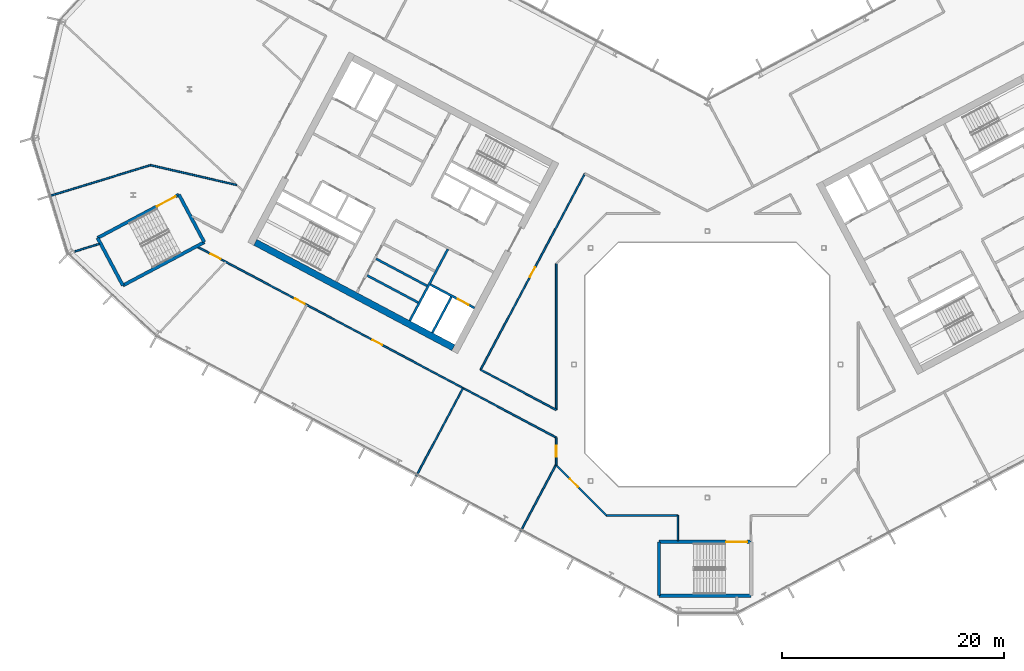
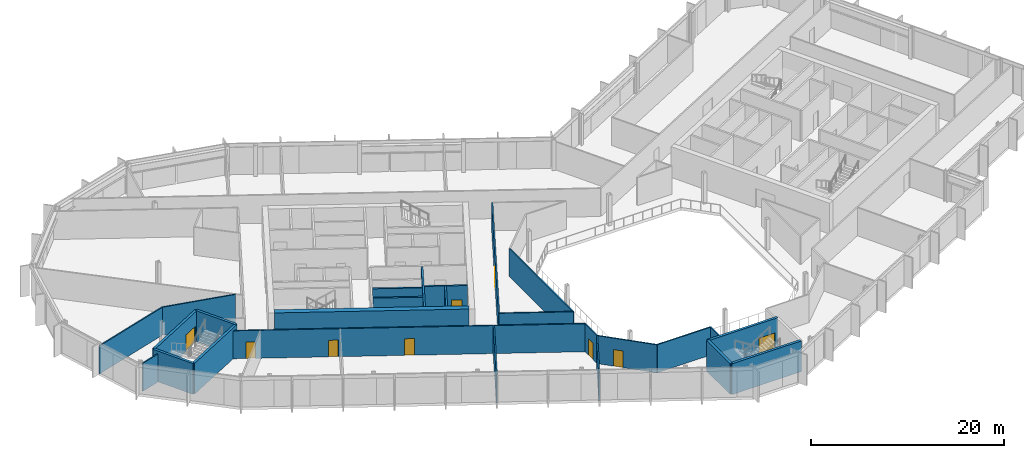
# One storey, part 13 of 27: 26 walls, 9 doors, 9 openings.
"""IFC4 building model written with IfcOpenShell, lengths in metres."""

from ifc_helpers import new_model, si_unit, direction, frame, frame_2d, origin, place, context, subcontext, project, spatial, rectangle, extrude, material, layer, layer_set, type_object, element, fill, save


model = new_model("IFC4")

# Units and contexts
model_context = context("Model", 3, precision=1e-05, world=origin(), true_north=direction((0.0, 1.0)))
body_context = subcontext(model_context, "Body", "Model", "MODEL_VIEW")
ifc_project = project(units=[si_unit("LENGTHUNIT", "METRE"), si_unit("AREAUNIT", "SQUARE_METRE"), si_unit("VOLUMEUNIT", "CUBIC_METRE"), si_unit("PLANEANGLEUNIT", "RADIAN"), si_unit("MASSUNIT", "GRAM", prefix="KILO")], contexts=[model_context])

# Site, building, storey
site_placement = place(None, origin())
site = spatial("IfcSite", under=ifc_project, at=site_placement, CompositionType="ELEMENT")
building_placement = place(site_placement, origin())
building = spatial("IfcBuilding", under=site, at=building_placement, Name="Cormorant Relay Tower", CompositionType="ELEMENT")
storey_placement = place(building_placement, frame((0.0, 0.0, 224.699951171875)))
storey = spatial("IfcBuildingStorey", under=building, at=storey_placement, Name="L49", CompositionType="ELEMENT", Elevation=224.699951171875)

# Walls
ifc_material_1 = material(Name="Concrete 40 MPa", Category="concrete")
ifc_layer_1 = layer(ifc_material_1, 0.199951171875)
ifc_layer_set_1 = layer_set([ifc_layer_1], Name="Core internal wall 200")
wall_type_1 = type_object("IfcWallType", Name="Core internal wall 200", PredefinedType="SOLIDWALL", material=ifc_layer_set_1)
for number, where, z_axis, x_axis, name in (
    (1, (-25.232421875, 7.073974609375, 0.0), (0.0, 0.0, 1.0), (-0.882953967957, 0.469459572775, 0.0), "L49 core A shaft and room wall"),
    (2, (-26.030517578125, 5.572998046875, 0.0), (0.0, 0.0, 1.0), (-0.882953967957, 0.469459572775, 0.0), "L49 core A shaft and room wall"),
):
    element("IfcWall", number, at=place(storey_placement, frame(where, z_axis=z_axis, x_axis=x_axis)), inside=storey, type_object=wall_type_1, Name=name, PredefinedType="SOLIDWALL", context=body_context, shape_type="SweptSolid", body=[
        extrude(rectangle(XDim=5.199951171875, YDim=0.199951171875, at=frame_2d((2.60009765625, 0.0))), origin(), (0.0, 0.0, 1.0), 3.900146484375),
    ])
ifc_material_2 = material(Name="Concrete 50 MPa", Category="concrete")
ifc_layer_2 = layer(ifc_material_2, 0.199951171875)
ifc_layer_set_2 = layer_set([ifc_layer_2], Name="Core shaft wall 200")
wall_type_2 = type_object("IfcWallType", Name="Core shaft wall 200", PredefinedType="SHEAR", material=ifc_layer_set_2)
wall_1_placement = place(storey_placement, frame((-23.04296875, 6.07958984375, 0.0), z_axis=(0.0, 0.0, 1.0), x_axis=(-0.469494272526, -0.882935517501, 0.0)))
element("IfcWall", 3, at=wall_1_placement, inside=storey, type_object=wall_type_2, Name="L49 core A shaft wall", PredefinedType="SHEAR", context=body_context, shape_type="SweptSolid", body=[
    extrude(rectangle(XDim=3.64990234375, YDim=0.199951171875, at=frame_2d((1.824951171875, 0.0))), origin(), (0.0, 0.0, 1.0), 3.900146484375),
])
wall_2_placement = place(storey_placement, frame((-23.360107421875, 10.38232421875, 0.0), z_axis=(0.0, 0.0, 1.0), x_axis=(-0.469480409012, -0.88294288918, 0.0)))
element("IfcWall", 4, at=wall_2_placement, inside=storey, type_object=wall_type_2, Name="L49 core A shaft wall", PredefinedType="SHEAR", context=body_context, shape_type="SweptSolid", body=[
    extrude(rectangle(XDim=7.300048828125, YDim=0.199951171875, at=frame_2d((3.64990234375, 0.0))), origin(), (0.0, 0.0, 1.0), 3.900146484375),
])

# Wall, opening, door
wall_3_placement = place(storey_placement, frame((-20.96533203125, 5.088134765625, 0.0), z_axis=(0.0, 0.0, 1.0), x_axis=(-0.882925986334, 0.469512196493, 0.0)))
wall_3 = element("IfcWall", 5, at=wall_3_placement, inside=storey, type_object=wall_type_2, Name="L49 core A shaft wall", PredefinedType="SHEAR", context=body_context, shape_type="SweptSolid", body=[
    extrude(rectangle(XDim=4.5, YDim=0.199951171875, at=frame_2d((2.25, 0.0))), origin(), (0.0, 0.0, 1.0), 3.900146484375),
])
opening_1_placement = place(wall_3_placement, frame((0.60009765625, 0.0, 0.0)))
opening_1 = element("IfcOpeningElement", 6, at=opening_1_placement, cuts=wall_3, Name="Opening LD1-063", PredefinedType="OPENING", context=body_context, shape_type="SweptSolid", body=[
    extrude(rectangle(XDim=1.10009765625, YDim=2.10009765625, at=frame_2d((0.550048828125, 1.050048828125))), frame((0.0, 0.10986328125, 0.0), z_axis=(0.0, -1.0, 0.0), x_axis=(1.0, 0.0, 0.0)), (0.0, 0.0, 1.0), 0.219970703125),
])
ifc_material_3 = material(Name="Stainless steel 316", Category="steel")
door_type_1 = type_object("IfcDoorType", Name="Lift landing door 1100x2100", OperationType="DOUBLE_DOOR_SLIDING", PredefinedType="DOOR", material=ifc_material_3)
door_1_placement = place(opening_1_placement, origin())
door_1 = element("IfcDoor", 7, at=door_1_placement, inside=storey, type_object=door_type_1, Name="FF1 landing door", OperationType="DOUBLE_DOOR_SLIDING", OverallHeight=2.10009765625, OverallWidth=1.10009765625, PredefinedType="DOOR", context=body_context, shape_type="SweptSolid", body=[
    extrude(rectangle(XDim=1.10009765625, YDim=2.10009765625, at=frame_2d((0.550048828125, 1.050048828125))), frame((0.0, 0.02490234375, 0.0), z_axis=(0.0, -1.0, 0.0), x_axis=(1.0, 0.0, 0.0)), (0.0, 0.0, 1.0), 0.050048828125),
])
fill(opening_1, door_1)

# Wall
ifc_material_4 = material(Name="Concrete 50 MPa", Category="concrete")
ifc_layer_3 = layer(ifc_material_4, 0.60009765625)
ifc_layer_set_3 = layer_set([ifc_layer_3], Name="Core wall 600")
wall_type_3 = type_object("IfcWallType", Name="Core wall 600", PredefinedType="SHEAR", material=ifc_layer_set_3)
wall_4_placement = place(storey_placement, frame((-22.86669921875, 1.51220703125, 0.0), z_axis=(0.0, 0.0, 1.0), x_axis=(-0.88294509198, 0.469476266226, 0.0)))
element("IfcWall", 8, at=wall_4_placement, inside=storey, type_object=wall_type_3, Name="L49 core A wall", PredefinedType="SHEAR", context=body_context, shape_type="SweptSolid", body=[
    extrude(rectangle(XDim=20.199951171875, YDim=0.60009765625, at=frame_2d((10.10009765625, 0.0))), origin(), (0.0, 0.0, 1.0), 3.900146484375),
])

# Wall, opening, door
ifc_material_5 = material(Name="Gypsum board fire partition")
ifc_layer_4 = layer(ifc_material_5, 0.14990234375)
ifc_layer_set_4 = layer_set([ifc_layer_4], Name="Corridor partition 150 EI 60")
wall_type_4 = type_object("IfcWallType", Name="Corridor partition 150 EI 60", PredefinedType="PARTITIONING", material=ifc_layer_set_4)
wall_5_placement = place(storey_placement, frame((-13.60009765625, -9.076904296875, 0.0), z_axis=(0.0, 0.0, 1.0), x_axis=(0.0, 1.0, 0.0)))
wall_5 = element("IfcWall", 9, at=wall_5_placement, inside=storey, type_object=wall_type_4, Name="wall/L49/part/015", PredefinedType="PARTITIONING", context=body_context, shape_type="SweptSolid", body=[
    extrude(rectangle(XDim=2.490966796875, YDim=0.14990234375, at=frame_2d((1.24560546875, 0.0))), origin(), (0.0, 0.0, 1.0), 3.5400390625),
])
opening_2_placement = place(wall_5_placement, frame((0.75, 0.0, 0.0)))
opening_2 = element("IfcOpeningElement", 10, at=opening_2_placement, cuts=wall_5, Name="Opening DS-158", PredefinedType="OPENING", context=body_context, shape_type="SweptSolid", body=[
    extrude(rectangle(XDim=1.0, YDim=2.10009765625, at=frame_2d((0.5, 1.050048828125))), frame((0.0, 0.0849609375, 0.0), z_axis=(0.0, -1.0, 0.0), x_axis=(1.0, 0.0, 0.0)), (0.0, 0.0, 1.0), 0.169921875),
])
ifc_material_6 = material(Name="Timber door leaf", Category="wood")
door_type_2 = type_object("IfcDoorType", Name="Suite door 1000x2100", OperationType="SINGLE_SWING_LEFT", PredefinedType="DOOR", material=ifc_material_6)
door_2_placement = place(opening_2_placement, origin())
door_2 = element("IfcDoor", 11, at=door_2_placement, inside=storey, type_object=door_type_2, Name="door/L49/010", OperationType="SINGLE_SWING_RIGHT", OverallHeight=2.10009765625, OverallWidth=1.0, PredefinedType="DOOR", context=body_context, shape_type="SweptSolid", body=[
    extrude(rectangle(XDim=1.0, YDim=2.10009765625, at=frame_2d((0.5, 1.050048828125))), frame((0.0, 0.02490234375, 0.0), z_axis=(0.0, -1.0, 0.0), x_axis=(1.0, 0.0, 0.0)), (0.0, 0.0, 1.0), 0.050048828125),
])
fill(opening_2, door_2)

# Wall, openings, doors
wall_6_placement = place(storey_placement, frame((-13.60009765625, -6.5859375, 0.0), z_axis=(0.0, 0.0, 1.0), x_axis=(-0.882948083203, 0.469470640582, 0.0)))
wall_6 = element("IfcWall", 12, at=wall_6_placement, inside=storey, type_object=wall_type_4, Name="wall/L49/part/016", PredefinedType="PARTITIONING", context=body_context, shape_type="SweptSolid", body=[
    extrude(rectangle(XDim=36.5556640625, YDim=0.14990234375, at=frame_2d((18.27783203125, 0.0))), origin(), (0.0, 0.0, 1.0), 3.5400390625),
])
opening_3_placement = place(wall_6_placement, frame((34.25, 0.0, 0.0)))
opening_3 = element("IfcOpeningElement", 13, at=opening_3_placement, cuts=wall_6, Name="Opening DS-155", PredefinedType="OPENING", context=body_context, shape_type="SweptSolid", body=[
    extrude(rectangle(XDim=1.0, YDim=2.10009765625, at=frame_2d((0.5, 1.050048828125))), frame((0.0, 0.0849609375, 0.0), z_axis=(0.0, -1.0, 0.0), x_axis=(1.0, 0.0, 0.0)), (0.0, 0.0, 1.0), 0.169921875),
])
opening_4_placement = place(wall_6_placement, frame((25.64990234375, 0.0, 0.0)))
opening_4 = element("IfcOpeningElement", 14, at=opening_4_placement, cuts=wall_6, Name="Opening DS-156", PredefinedType="OPENING", context=body_context, shape_type="SweptSolid", body=[
    extrude(rectangle(XDim=1.0, YDim=2.10009765625, at=frame_2d((0.5, 1.050048828125))), frame((0.0, 0.0849609375, 0.0), z_axis=(0.0, -1.0, 0.0), x_axis=(1.0, 0.0, 0.0)), (0.0, 0.0, 1.0), 0.169921875),
])
opening_5_placement = place(wall_6_placement, frame((17.75, 0.0, 0.0)))
opening_5 = element("IfcOpeningElement", 15, at=opening_5_placement, cuts=wall_6, Name="Opening DS-157", PredefinedType="OPENING", context=body_context, shape_type="SweptSolid", body=[
    extrude(rectangle(XDim=1.0, YDim=2.10009765625, at=frame_2d((0.5, 1.050048828125))), frame((0.0, 0.0849609375, 0.0), z_axis=(0.0, -1.0, 0.0), x_axis=(1.0, 0.0, 0.0)), (0.0, 0.0, 1.0), 0.169921875),
])
door_3_placement = place(opening_3_placement, origin())
door_3 = element("IfcDoor", 16, at=door_3_placement, inside=storey, type_object=door_type_2, Name="door/L49/007", OperationType="SINGLE_SWING_LEFT", OverallHeight=2.10009765625, OverallWidth=1.0, PredefinedType="DOOR", context=body_context, shape_type="SweptSolid", body=[
    extrude(rectangle(XDim=1.0, YDim=2.10009765625, at=frame_2d((0.5, 1.050048828125))), frame((0.0, 0.02490234375, 0.0), z_axis=(0.0, -1.0, 0.0), x_axis=(1.0, 0.0, 0.0)), (0.0, 0.0, 1.0), 0.050048828125),
])
fill(opening_3, door_3)
door_4_placement = place(opening_4_placement, origin())
door_4 = element("IfcDoor", 17, at=door_4_placement, inside=storey, type_object=door_type_2, Name="door/L49/008", OperationType="SINGLE_SWING_LEFT", OverallHeight=2.10009765625, OverallWidth=1.0, PredefinedType="DOOR", context=body_context, shape_type="SweptSolid", body=[
    extrude(rectangle(XDim=1.0, YDim=2.10009765625, at=frame_2d((0.5, 1.050048828125))), frame((0.0, 0.02490234375, 0.0), z_axis=(0.0, -1.0, 0.0), x_axis=(1.0, 0.0, 0.0)), (0.0, 0.0, 1.0), 0.050048828125),
])
fill(opening_4, door_4)
door_5_placement = place(opening_5_placement, origin())
door_5 = element("IfcDoor", 18, at=door_5_placement, inside=storey, type_object=door_type_2, Name="door/L49/009", OperationType="SINGLE_SWING_LEFT", OverallHeight=2.10009765625, OverallWidth=1.0, PredefinedType="DOOR", context=body_context, shape_type="SweptSolid", body=[
    extrude(rectangle(XDim=1.0, YDim=2.10009765625, at=frame_2d((0.5, 1.050048828125))), frame((0.0, 0.02490234375, 0.0), z_axis=(0.0, -1.0, 0.0), x_axis=(1.0, 0.0, 0.0)), (0.0, 0.0, 1.0), 0.050048828125),
])
fill(opening_5, door_5)

# Wall, opening, door
wall_7_placement = place(storey_placement, frame((-13.60009765625, -9.076904296875, 0.0), z_axis=(0.0, 0.0, 1.0), x_axis=(0.707106781187, -0.707106781187, 0.0)))
wall_7 = element("IfcWall", 19, at=wall_7_placement, inside=storey, type_object=wall_type_4, Name="wall/L49/part/023", PredefinedType="PARTITIONING", context=body_context, shape_type="SweptSolid", body=[
    extrude(rectangle(XDim=6.396728515625, YDim=0.14990234375, at=frame_2d((3.1982421875, 0.0))), origin(), (0.0, 0.0, 1.0), 3.5400390625),
])
opening_6_placement = place(wall_7_placement, frame((1.75, 0.0, 0.0)))
opening_6 = element("IfcOpeningElement", 20, at=opening_6_placement, cuts=wall_7, Name="Opening DS-159", PredefinedType="OPENING", context=body_context, shape_type="SweptSolid", body=[
    extrude(rectangle(XDim=1.0, YDim=2.10009765625, at=frame_2d((0.5, 1.050048828125))), frame((0.0, 0.0849609375, 0.0), z_axis=(0.0, -1.0, 0.0), x_axis=(1.0, 0.0, 0.0)), (0.0, 0.0, 1.0), 0.169921875),
])
door_6_placement = place(opening_6_placement, frame((1.0, 0.0, 0.0), z_axis=(0.0, 0.0, 1.0), x_axis=(-1.0, 0.0, 0.0)))
door_6 = element("IfcDoor", 21, at=door_6_placement, inside=storey, type_object=door_type_2, Name="door/L49/011", OperationType="SINGLE_SWING_RIGHT", OverallHeight=2.10009765625, OverallWidth=1.0, PredefinedType="DOOR", context=body_context, shape_type="SweptSolid", body=[
    extrude(rectangle(XDim=1.0, YDim=2.10009765625, at=frame_2d((0.5, 1.050048828125))), frame((0.0, 0.02490234375, 0.0), z_axis=(0.0, -1.0, 0.0), x_axis=(1.0, 0.0, 0.0)), (0.0, 0.0, 1.0), 0.050048828125),
])
fill(opening_6, door_6)

# Walls
wall_8_placement = place(storey_placement, frame((-2.64892578125, -15.875, 0.0), z_axis=(0.0, 0.0, 1.0), x_axis=(0.0, 1.0, 0.0)))
element("IfcWall", 22, at=wall_8_placement, inside=storey, type_object=wall_type_4, Name="wall/L49/part/025", PredefinedType="PARTITIONING", context=body_context, shape_type="SweptSolid", body=[
    extrude(rectangle(XDim=2.27490234375, YDim=0.14990234375, at=frame_2d((1.137451171875, 0.0))), origin(), (0.0, 0.0, 1.0), 3.5400390625),
])
wall_9_placement = place(storey_placement, frame((-2.64892578125, -13.60009765625, 0.0), z_axis=(0.0, 0.0, 1.0), x_axis=(-1.0, 0.0, 0.0)))
element("IfcWall", 23, at=wall_9_placement, inside=storey, type_object=wall_type_4, Name="wall/L49/part/026", PredefinedType="PARTITIONING", context=body_context, shape_type="SweptSolid", body=[
    extrude(rectangle(XDim=6.427978515625, YDim=0.14990234375, at=frame_2d((3.2138671875, 0.0))), origin(), (0.0, 0.0, 1.0), 3.5400390625),
])

# Wall, opening, door
wall_10_placement = place(storey_placement, frame((-20.410888671875, -0.472900390625, 0.0), z_axis=(0.0, 0.0, 1.0), x_axis=(0.469451816494, 0.882958091865, 0.0)))
wall_10 = element("IfcWall", 24, at=wall_10_placement, inside=storey, type_object=wall_type_4, Name="wall/L49/part/042", PredefinedType="PARTITIONING", context=body_context, shape_type="SweptSolid", body=[
    extrude(rectangle(XDim=19.999755859375, YDim=0.14990234375, at=frame_2d((10.0, 0.0))), origin(), (0.0, 0.0, 1.0), 3.5400390625),
])
opening_7_placement = place(wall_10_placement, frame((9.449951171875, 0.0, 0.0)))
opening_7 = element("IfcOpeningElement", 25, at=opening_7_placement, cuts=wall_10, Name="Opening DS-132", PredefinedType="OPENING", context=body_context, shape_type="SweptSolid", body=[
    extrude(rectangle(XDim=1.0, YDim=2.10009765625, at=frame_2d((0.5, 1.050048828125))), frame((0.0, 0.0849609375, 0.0), z_axis=(0.0, -1.0, 0.0), x_axis=(1.0, 0.0, 0.0)), (0.0, 0.0, 1.0), 0.169921875),
])
door_7_placement = place(opening_7_placement, frame((1.0, 0.0, 0.0), z_axis=(0.0, 0.0, 1.0), x_axis=(-1.0, 0.0, 0.0)))
door_7 = element("IfcDoor", 26, at=door_7_placement, inside=storey, type_object=door_type_2, Name="door/L49/012", OperationType="SINGLE_SWING_LEFT", OverallHeight=2.10009765625, OverallWidth=1.0, PredefinedType="DOOR", context=body_context, shape_type="SweptSolid", body=[
    extrude(rectangle(XDim=1.0, YDim=2.10009765625, at=frame_2d((0.5, 1.050048828125))), frame((0.0, 0.02490234375, 0.0), z_axis=(0.0, -1.0, 0.0), x_axis=(1.0, 0.0, 0.0)), (0.0, 0.0, 1.0), 0.050048828125),
])
fill(opening_7, door_7)

# Walls
wall_11_placement = place(storey_placement, frame((-13.60009765625, 9.076904296875, 0.0), z_axis=(0.0, 0.0, 1.0), x_axis=(0.0, -1.0, 0.0)))
element("IfcWall", 27, at=wall_11_placement, inside=storey, type_object=wall_type_4, Name="wall/L49/part/046", PredefinedType="PARTITIONING", context=body_context, shape_type="SweptSolid", body=[
    extrude(rectangle(XDim=13.1708984375, YDim=0.14990234375, at=frame_2d((6.58544921875, 0.0))), origin(), (0.0, 0.0, 1.0), 3.5400390625),
])
wall_12_placement = place(storey_placement, frame((-13.60009765625, -4.093994140625, 0.0), z_axis=(0.0, 0.0, 1.0), x_axis=(-0.882961998231, 0.469444469218, 0.0)))
element("IfcWall", 28, at=wall_12_placement, inside=storey, type_object=wall_type_4, Name="wall/L49/part/047", PredefinedType="PARTITIONING", context=body_context, shape_type="SweptSolid", body=[
    extrude(rectangle(XDim=7.713623046875, YDim=0.14990234375, at=frame_2d((3.85693359375, 0.0))), origin(), (0.0, 0.0, 1.0), 3.5400390625),
])
ifc_material_7 = material(Name="Concrete 50 MPa", Category="concrete")
ifc_layer_5 = layer(ifc_material_7, 0.300048828125)
ifc_layer_set_5 = layer_set([ifc_layer_5], Name="Remote stair wall 300")
wall_type_5 = type_object("IfcWallType", Name="Remote stair wall 300", PredefinedType="SHEAR", material=ifc_layer_set_5)
wall_13_placement = place(storey_placement, frame((3.949951171875, -20.824951171875, 0.0), z_axis=(0.0, 0.0, 1.0), x_axis=(-1.0, 0.0, 0.0)))
element("IfcWall", 29, at=wall_13_placement, inside=storey, type_object=wall_type_5, Name="L49 exit stair RK1 wall", PredefinedType="SHEAR", context=body_context, shape_type="SweptSolid", body=[
    extrude(rectangle(XDim=8.300048828125, YDim=0.300048828125, at=frame_2d((4.14990234375, 0.0))), origin(), (0.0, 0.0, 1.0), 3.900146484375),
])
wall_14_placement = place(storey_placement, frame((-4.35009765625, -20.824951171875, 0.0), z_axis=(0.0, 0.0, 1.0), x_axis=(0.0, 1.0, 0.0)))
element("IfcWall", 30, at=wall_14_placement, inside=storey, type_object=wall_type_5, Name="L49 exit stair RK1 wall", PredefinedType="SHEAR", context=body_context, shape_type="SweptSolid", body=[
    extrude(rectangle(XDim=4.849853515625, YDim=0.300048828125, at=frame_2d((2.4248046875, 0.0))), origin(), (0.0, 0.0, 1.0), 3.900146484375),
])

# Wall, opening, door
wall_15_placement = place(storey_placement, frame((-4.35009765625, -15.97509765625, 0.0), z_axis=(0.0, 0.0, 1.0), x_axis=(1.0, 0.0, 0.0)))
wall_15 = element("IfcWall", 31, at=wall_15_placement, inside=storey, type_object=wall_type_5, Name="L49 exit stair RK1 wall", PredefinedType="SHEAR", context=body_context, shape_type="SweptSolid", body=[
    extrude(rectangle(XDim=8.300048828125, YDim=0.300048828125, at=frame_2d((4.14990234375, 0.0))), origin(), (0.0, 0.0, 1.0), 3.900146484375),
])
opening_8_placement = place(wall_15_placement, frame((6.050048828125, 0.0, 0.0)))
opening_8 = element("IfcOpeningElement", 32, at=opening_8_placement, cuts=wall_15, Name="Opening CDE-014", PredefinedType="OPENING", context=body_context, shape_type="SweptSolid", body=[
    extrude(rectangle(XDim=1.89990234375, YDim=2.10009765625, at=frame_2d((0.949951171875, 1.050048828125))), frame((0.0, 0.159912109375, 0.0), z_axis=(0.0, -1.0, 0.0), x_axis=(1.0, 0.0, 0.0)), (0.0, 0.0, 1.0), 0.320068359375),
])
ifc_material_8 = material(Name="Steel fire door", Category="steel")
door_type_3 = type_object("IfcDoorType", Name="Remote stair door 1900x2100", OperationType="DOUBLE_DOOR_SINGLE_SWING", PredefinedType="DOOR", material=ifc_material_8)
door_8_placement = place(opening_8_placement, frame((1.89990234375, 0.0, 0.0), z_axis=(0.0, 0.0, 1.0), x_axis=(-1.0, 0.0, 0.0)))
door_8 = element("IfcDoor", 33, at=door_8_placement, inside=storey, type_object=door_type_3, Name="Exit stair RK1 door", OperationType="DOUBLE_DOOR_SINGLE_SWING", OverallHeight=2.10009765625, OverallWidth=1.89990234375, PredefinedType="DOOR", context=body_context, shape_type="SweptSolid", body=[
    extrude(rectangle(XDim=1.89990234375, YDim=2.10009765625, at=frame_2d((0.949951171875, 1.050048828125))), frame((0.0, 0.02490234375, 0.0), z_axis=(0.0, -1.0, 0.0), x_axis=(1.0, 0.0, 0.0)), (0.0, 0.0, 1.0), 0.050048828125),
])
fill(opening_8, door_8)

# Walls
wall_16_placement = place(storey_placement, frame((-47.57421875, 15.28955078125, 0.0), z_axis=(0.0, 0.0, 1.0), x_axis=(0.469443498566, -0.882962514297, 0.0)))
element("IfcWall", 34, at=wall_16_placement, inside=storey, type_object=wall_type_5, Name="L49 exit stair RP1 wall", PredefinedType="SHEAR", context=body_context, shape_type="SweptSolid", body=[
    extrude(rectangle(XDim=4.85009765625, YDim=0.300048828125, at=frame_2d((2.425048828125, 0.0))), origin(), (0.0, 0.0, 1.0), 3.900146484375),
])
wall_17_placement = place(storey_placement, frame((-45.29736328125, 11.007080078125, 0.0), z_axis=(0.0, 0.0, 1.0), x_axis=(-0.882951519127, -0.469464178475, 0.0)))
element("IfcWall", 35, at=wall_17_placement, inside=storey, type_object=wall_type_5, Name="L49 exit stair RP1 wall", PredefinedType="SHEAR", context=body_context, shape_type="SweptSolid", body=[
    extrude(rectangle(XDim=8.2998046875, YDim=0.300048828125, at=frame_2d((4.14990234375, 0.0))), origin(), (0.0, 0.0, 1.0), 3.900146484375),
])
wall_18_placement = place(storey_placement, frame((-52.625732421875, 7.110595703125, 0.0), z_axis=(0.0, 0.0, 1.0), x_axis=(-0.469464364128, 0.882951420416, 0.0)))
element("IfcWall", 36, at=wall_18_placement, inside=storey, type_object=wall_type_5, Name="L49 exit stair RP1 wall", PredefinedType="SHEAR", context=body_context, shape_type="SweptSolid", body=[
    extrude(rectangle(XDim=4.849853515625, YDim=0.300048828125, at=frame_2d((2.4248046875, 0.0))), origin(), (0.0, 0.0, 1.0), 3.900146484375),
])

# Wall, opening, door
wall_19_placement = place(storey_placement, frame((-54.902587890625, 11.392822265625, 0.0), z_axis=(0.0, 0.0, 1.0), x_axis=(0.882939326045, 0.469487110071, 0.0)))
wall_19 = element("IfcWall", 37, at=wall_19_placement, inside=storey, type_object=wall_type_5, Name="L49 exit stair RP1 wall", PredefinedType="SHEAR", context=body_context, shape_type="SweptSolid", body=[
    extrude(rectangle(XDim=8.300048828125, YDim=0.300048828125, at=frame_2d((4.14990234375, 0.0))), origin(), (0.0, 0.0, 1.0), 3.900146484375),
])
opening_9_placement = place(wall_19_placement, frame((6.050048828125, 0.0, 0.0)))
opening_9 = element("IfcOpeningElement", 38, at=opening_9_placement, cuts=wall_19, Name="Opening CDE-015", PredefinedType="OPENING", context=body_context, shape_type="SweptSolid", body=[
    extrude(rectangle(XDim=1.89990234375, YDim=2.10009765625, at=frame_2d((0.949951171875, 1.050048828125))), frame((0.0, 0.159912109375, 0.0), z_axis=(0.0, -1.0, 0.0), x_axis=(1.0, 0.0, 0.0)), (0.0, 0.0, 1.0), 0.320068359375),
])
door_9_placement = place(opening_9_placement, frame((1.89990234375, 0.0, 0.0), z_axis=(0.0, 0.0, 1.0), x_axis=(-1.0, 0.0, 0.0)))
door_9 = element("IfcDoor", 39, at=door_9_placement, inside=storey, type_object=door_type_3, Name="Exit stair RP1 door", OperationType="DOUBLE_DOOR_SINGLE_SWING", OverallHeight=2.10009765625, OverallWidth=1.89990234375, PredefinedType="DOOR", context=body_context, shape_type="SweptSolid", body=[
    extrude(rectangle(XDim=1.89990234375, YDim=2.10009765625, at=frame_2d((0.949951171875, 1.050048828125))), frame((0.0, 0.02490234375, 0.0), z_axis=(0.0, -1.0, 0.0), x_axis=(1.0, 0.0, 0.0)), (0.0, 0.0, 1.0), 0.050048828125),
])
fill(opening_9, door_9)

# Walls
ifc_material_9 = material(Name="Gypsum board partition")
ifc_layer_6 = layer(ifc_material_9, 0.14990234375)
ifc_layer_set_6 = layer_set([ifc_layer_6], Name="Tenant partition 150")
wall_type_6 = type_object("IfcWallType", Name="Tenant partition 150", PredefinedType="PARTITIONING", material=ifc_layer_set_6)
wall_20_placement = place(storey_placement, frame((-59.322021484375, 15.136962890625, 0.0), z_axis=(0.0, 0.0, 1.0), x_axis=(0.956301289206, 0.292383043732, 0.0)))
element("IfcWall", 40, at=wall_20_placement, inside=storey, type_object=wall_type_6, Name="wall/L49/part/001", PredefinedType="PARTITIONING", context=body_context, shape_type="SweptSolid", body=[
    extrude(rectangle(XDim=9.6142578125, YDim=0.14990234375, at=frame_2d((4.80712890625, 0.0))), origin(), (0.0, 0.0, 1.0), 3.5400390625),
])
wall_21_placement = place(storey_placement, frame((-50.1279296875, 17.947998046875, 0.0), z_axis=(0.0, 0.0, 1.0), x_axis=(0.974372577987, -0.224940168193, 0.0)))
element("IfcWall", 41, at=wall_21_placement, inside=storey, type_object=wall_type_6, Name="wall/L49/part/002", PredefinedType="PARTITIONING", context=body_context, shape_type="SweptSolid", body=[
    extrude(rectangle(XDim=7.957763671875, YDim=0.14990234375, at=frame_2d((3.97900390625, 0.0))), origin(), (0.0, 0.0, 1.0), 3.5400390625),
])
wall_22_placement = place(storey_placement, frame((-54.73193359375, 10.85693359375, 0.0), z_axis=(0.0, 0.0, 1.0), x_axis=(-0.956308315689, -0.292360061129, 0.0)))
element("IfcWall", 42, at=wall_22_placement, inside=storey, type_object=wall_type_6, Name="wall/L49/part/006", PredefinedType="PARTITIONING", context=body_context, shape_type="SweptSolid", body=[
    extrude(rectangle(XDim=2.36669921875, YDim=0.14990234375, at=frame_2d((1.183349609375, 0.0))), origin(), (0.0, 0.0, 1.0), 3.5400390625),
])
wall_23_placement = place(storey_placement, frame((-21.989013671875, -2.1259765625, 0.0), z_axis=(0.0, 0.0, 1.0), x_axis=(-0.469481145989, -0.882942497313, 0.0)))
element("IfcWall", 43, at=wall_23_placement, inside=storey, type_object=wall_type_6, Name="wall/L49/part/019", PredefinedType="PARTITIONING", context=body_context, shape_type="SweptSolid", body=[
    extrude(rectangle(XDim=8.99951171875, YDim=0.14990234375, at=frame_2d((4.499755859375, 0.0))), origin(), (0.0, 0.0, 1.0), 3.5400390625),
])
wall_24_placement = place(storey_placement, frame((-13.60009765625, -8.998046875, 0.0), z_axis=(0.0, 0.0, 1.0), x_axis=(-0.469531053644, -0.882915958438, 0.0)))
element("IfcWall", 44, at=wall_24_placement, inside=storey, type_object=wall_type_6, Name="wall/L49/part/021", PredefinedType="PARTITIONING", context=body_context, shape_type="SweptSolid", body=[
    extrude(rectangle(XDim=6.870361328125, YDim=0.14990234375, at=frame_2d((3.43505859375, 0.0))), origin(), (0.0, 0.0, 1.0), 3.5400390625),
])

save(model, "model.ifc")
